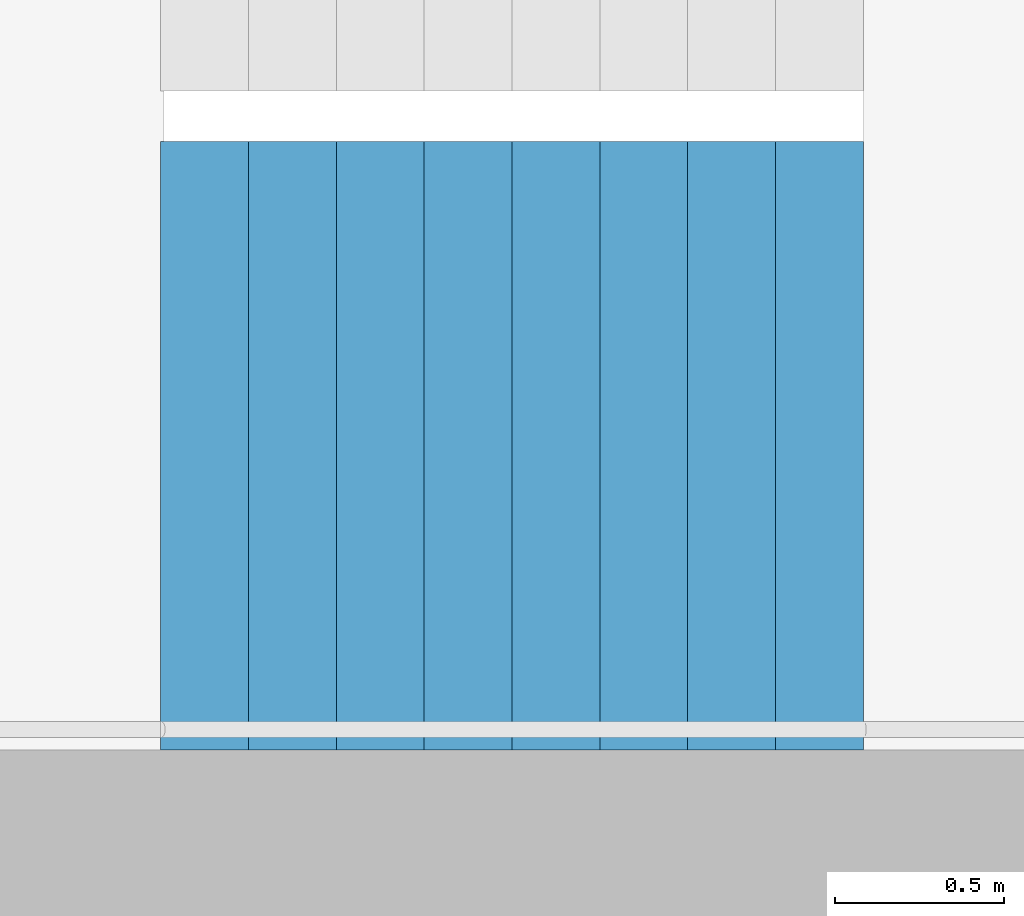
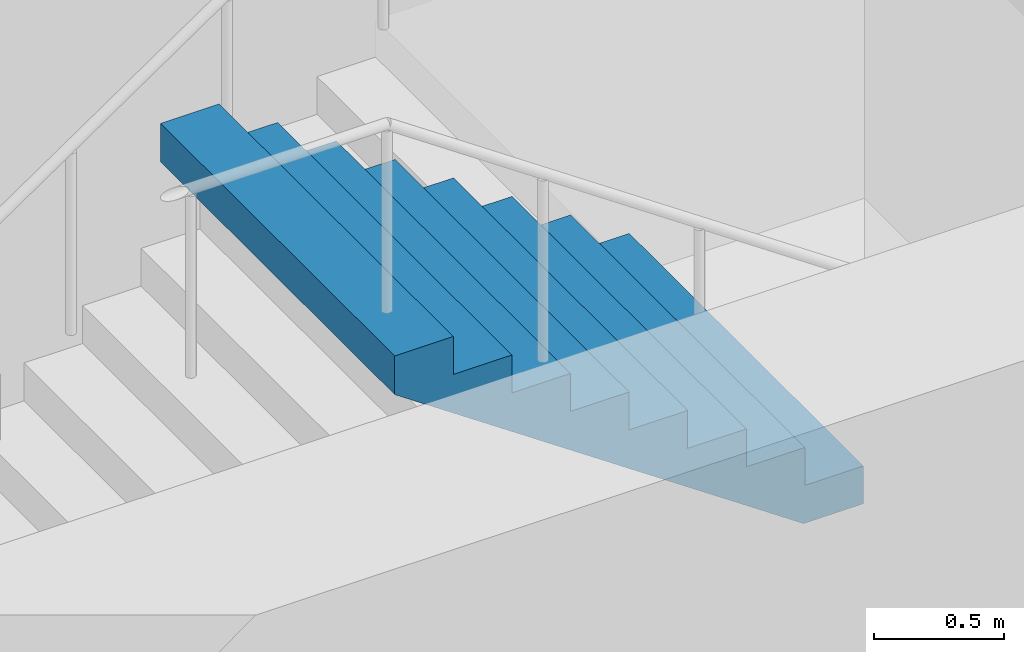
# One storey, part 21 of 30: 1 stair flight, 1 element without a shape of its own.
"""IFC4 building model written with IfcOpenShell, lengths in metres."""

from ifc_helpers import new_model, si_unit, direction, frame, origin, place, context, subcontext, project, spatial, triangles, material, type_object, element, aggregate, save


model = new_model("IFC4")

# Units and contexts
model_context = context("Model", 3, precision=1e-05, world=origin(), true_north=direction((0.0, 1.0)))
body_context = subcontext(model_context, "Body", "Model", "MODEL_VIEW")
ifc_project = project(units=[si_unit("LENGTHUNIT", "METRE"), si_unit("AREAUNIT", "SQUARE_METRE"), si_unit("VOLUMEUNIT", "CUBIC_METRE"), si_unit("PLANEANGLEUNIT", "RADIAN"), si_unit("MASSUNIT", "GRAM", prefix="KILO")], contexts=[model_context])

# Site, building, storey
site_placement = place(None, origin())
site = spatial("IfcSite", under=ifc_project, at=site_placement, CompositionType="ELEMENT")
building_placement = place(site_placement, origin())
building = spatial("IfcBuilding", under=site, at=building_placement, Name="Hakoniwa Tower and Hamabe Station Hall", CompositionType="ELEMENT")
storey_placement = place(building_placement, frame((0.0, 0.0, 137.39990234375)))
storey = spatial("IfcBuildingStorey", under=building, at=storey_placement, Name="L38", CompositionType="ELEMENT", Elevation=137.39990234375)

# Stair, stair flight
ifc_material_1 = material(Name="Concrete C40", Category="concrete")
stair_type = type_object("IfcStairType", Name="ESCAPE STAIR 1800", PredefinedType="HALF_TURN_STAIR", material=ifc_material_1)
stair_placement = place(storey_placement, origin())
stair = element("IfcStair", 1, at=stair_placement, inside=storey, type_object=stair_type, Name="Escape stair ST-4 L38", PredefinedType="HALF_TURN_STAIR")
ifc_material_2 = material(Name="Concrete C40", Category="concrete")
stair_flight_type = type_object("IfcStairFlightType", Name="STAIR FLIGHT 1800", PredefinedType="STRAIGHT", material=ifc_material_2)
stair_flight_placement = place(storey_placement, frame((25.47998046875, -6.60009765625, 1.60009765625), z_axis=(0.0, 0.0, 1.0), x_axis=(-1.0, 0.0, 0.0)))
stair_flight = element("IfcStairFlight", 2, at=stair_flight_placement, type_object=stair_flight_type, Name="ST-4 flight 2", NumberOfRisers=9, NumberOfTreads=8, PredefinedType="STRAIGHT", RiserHeight=0.177777778, TreadLength=0.26, context=body_context, shape_type="Tessellation", body=[
    triangles([(0.0, 0.89990234375, 0.0), (0.260009765625, 0.89990234375, 0.0), (0.265625, 0.89990234375, 0.0), (0.52001953125, 0.89990234375, 0.174072265625), (0.780029296875, 0.89990234375, 0.351806640625), (1.0400390625, 0.89990234375, 0.529541015625), (1.300048828125, 0.89990234375, 0.707275390625), (1.56005859375, 0.89990234375, 0.885009765625), (1.820068359375, 0.89990234375, 1.062744140625), (2.080078125, 0.89990234375, 1.24072265625), (2.080078125, 0.89990234375, 1.422119140625), (1.820068359375, 0.89990234375, 1.422119140625), (1.820068359375, 0.89990234375, 1.244384765625), (1.56005859375, 0.89990234375, 1.244384765625), (1.56005859375, 0.89990234375, 1.066650390625), (1.300048828125, 0.89990234375, 1.066650390625), (1.300048828125, 0.89990234375, 0.888916015625), (1.0400390625, 0.89990234375, 0.888916015625), (1.0400390625, 0.89990234375, 0.711181640625), (0.780029296875, 0.89990234375, 0.711181640625), (0.780029296875, 0.89990234375, 0.533447265625), (0.52001953125, 0.89990234375, 0.533447265625), (0.52001953125, 0.89990234375, 0.35546875), (0.265625, 0.89990234375, 0.35546875), (0.260009765625, 0.89990234375, 0.35546875), (0.260009765625, 0.89990234375, 0.177734375), (0.0, 0.89990234375, 0.177734375), (0.0, 0.06005859375, 0.0), (0.260009765625, 0.06005859375, 0.0), (0.265625, 0.06005859375, 0.0), (0.52001953125, 0.06005859375, 0.174072265625), (0.780029296875, 0.06005859375, 0.351806640625), (1.0400390625, 0.06005859375, 0.529541015625), (1.300048828125, 0.06005859375, 0.707275390625), (1.56005859375, 0.06005859375, 0.885009765625), (1.820068359375, 0.06005859375, 1.062744140625), (2.080078125, 0.06005859375, 1.24072265625), (2.080078125, 0.06005859375, 1.422119140625), (1.820068359375, 0.06005859375, 1.422119140625), (1.820068359375, 0.06005859375, 1.244384765625), (1.56005859375, 0.06005859375, 1.244384765625), (1.56005859375, 0.06005859375, 1.066650390625), (1.300048828125, 0.06005859375, 1.066650390625), (1.300048828125, 0.06005859375, 0.888916015625), (1.0400390625, 0.06005859375, 0.888916015625), (1.0400390625, 0.06005859375, 0.711181640625), (0.780029296875, 0.06005859375, 0.711181640625), (0.780029296875, 0.06005859375, 0.533447265625), (0.52001953125, 0.06005859375, 0.533447265625), (0.52001953125, 0.06005859375, 0.35546875), (0.265625, 0.06005859375, 0.35546875), (0.260009765625, 0.06005859375, 0.35546875), (0.260009765625, 0.06005859375, 0.177734375), (0.0, 0.06005859375, 0.177734375), (0.0, 0.04296875, 0.0), (0.260009765625, 0.04296875, 0.0), (0.265625, 0.04296875, 0.0), (0.52001953125, 0.04296875, 0.174072265625), (0.780029296875, 0.04296875, 0.351806640625), (1.0400390625, 0.04296875, 0.529541015625), (1.300048828125, 0.04296875, 0.707275390625), (1.56005859375, 0.04296875, 0.885009765625), (1.820068359375, 0.04296875, 1.062744140625), (2.080078125, 0.04296875, 1.24072265625), (2.080078125, 0.04296875, 1.422119140625), (1.820068359375, 0.04296875, 1.422119140625), (1.820068359375, 0.04296875, 1.244384765625), (1.56005859375, 0.04296875, 1.244384765625), (1.56005859375, 0.04296875, 1.066650390625), (1.300048828125, 0.04296875, 1.066650390625), (1.300048828125, 0.04296875, 0.888916015625), (1.0400390625, 0.04296875, 0.888916015625), (1.0400390625, 0.04296875, 0.711181640625), (0.780029296875, 0.04296875, 0.711181640625), (0.780029296875, 0.04296875, 0.533447265625), (0.52001953125, 0.04296875, 0.533447265625), (0.52001953125, 0.04296875, 0.35546875), (0.265625, 0.04296875, 0.35546875), (0.260009765625, 0.04296875, 0.35546875), (0.260009765625, 0.04296875, 0.177734375), (0.0, 0.04296875, 0.177734375), (0.0, 0.025634765625, 0.0), (0.260009765625, 0.025634765625, 0.0), (0.265625, 0.025634765625, 0.0), (0.52001953125, 0.025634765625, 0.174072265625), (0.780029296875, 0.025634765625, 0.351806640625), (1.0400390625, 0.025634765625, 0.529541015625), (1.300048828125, 0.025634765625, 0.707275390625), (1.56005859375, 0.025634765625, 0.885009765625), (1.820068359375, 0.025634765625, 1.062744140625), (2.080078125, 0.025634765625, 1.24072265625), (2.080078125, 0.025634765625, 1.422119140625), (1.820068359375, 0.025634765625, 1.422119140625), (1.820068359375, 0.025634765625, 1.244384765625), (1.56005859375, 0.025634765625, 1.244384765625), (1.56005859375, 0.025634765625, 1.066650390625), (1.300048828125, 0.025634765625, 1.066650390625), (1.300048828125, 0.025634765625, 0.888916015625), (1.0400390625, 0.025634765625, 0.888916015625), (1.0400390625, 0.025634765625, 0.711181640625), (0.780029296875, 0.025634765625, 0.711181640625), (0.780029296875, 0.025634765625, 0.533447265625), (0.52001953125, 0.025634765625, 0.533447265625), (0.52001953125, 0.025634765625, 0.35546875), (0.265625, 0.025634765625, 0.35546875), (0.260009765625, 0.025634765625, 0.35546875), (0.260009765625, 0.025634765625, 0.177734375), (0.0, 0.025634765625, 0.177734375), (0.0, 0.008544921875, 0.0), (0.260009765625, 0.008544921875, 0.0), (0.265625, 0.008544921875, 0.0), (0.52001953125, 0.008544921875, 0.174072265625), (0.780029296875, 0.008544921875, 0.351806640625), (1.0400390625, 0.008544921875, 0.529541015625), (1.300048828125, 0.008544921875, 0.707275390625), (1.56005859375, 0.008544921875, 0.885009765625), (1.820068359375, 0.008544921875, 1.062744140625), (2.080078125, 0.008544921875, 1.24072265625), (2.080078125, 0.008544921875, 1.422119140625), (1.820068359375, 0.008544921875, 1.422119140625), (1.820068359375, 0.008544921875, 1.244384765625), (1.56005859375, 0.008544921875, 1.244384765625), (1.56005859375, 0.008544921875, 1.066650390625), (1.300048828125, 0.008544921875, 1.066650390625), (1.300048828125, 0.008544921875, 0.888916015625), (1.0400390625, 0.008544921875, 0.888916015625), (1.0400390625, 0.008544921875, 0.711181640625), (0.780029296875, 0.008544921875, 0.711181640625), (0.780029296875, 0.008544921875, 0.533447265625), (0.52001953125, 0.008544921875, 0.533447265625), (0.52001953125, 0.008544921875, 0.35546875), (0.265625, 0.008544921875, 0.35546875), (0.260009765625, 0.008544921875, 0.35546875), (0.260009765625, 0.008544921875, 0.177734375), (0.0, 0.008544921875, 0.177734375), (0.0, -0.008544921875, 0.0), (0.260009765625, -0.008544921875, 0.0), (0.265625, -0.008544921875, 0.0), (0.52001953125, -0.008544921875, 0.174072265625), (0.780029296875, -0.008544921875, 0.351806640625), (1.0400390625, -0.008544921875, 0.529541015625), (1.300048828125, -0.008544921875, 0.707275390625), (1.56005859375, -0.008544921875, 0.885009765625), (1.820068359375, -0.008544921875, 1.062744140625), (2.080078125, -0.008544921875, 1.24072265625), (2.080078125, -0.008544921875, 1.422119140625), (1.820068359375, -0.008544921875, 1.422119140625), (1.820068359375, -0.008544921875, 1.244384765625), (1.56005859375, -0.008544921875, 1.244384765625), (1.56005859375, -0.008544921875, 1.066650390625), (1.300048828125, -0.008544921875, 1.066650390625), (1.300048828125, -0.008544921875, 0.888916015625), (1.0400390625, -0.008544921875, 0.888916015625), (1.0400390625, -0.008544921875, 0.711181640625), (0.780029296875, -0.008544921875, 0.711181640625), (0.780029296875, -0.008544921875, 0.533447265625), (0.52001953125, -0.008544921875, 0.533447265625), (0.52001953125, -0.008544921875, 0.35546875), (0.265625, -0.008544921875, 0.35546875), (0.260009765625, -0.008544921875, 0.35546875), (0.260009765625, -0.008544921875, 0.177734375), (0.0, -0.008544921875, 0.177734375), (0.0, -0.025634765625, 0.0), (0.260009765625, -0.025634765625, 0.0), (0.265625, -0.025634765625, 0.0), (0.52001953125, -0.025634765625, 0.174072265625), (0.780029296875, -0.025634765625, 0.351806640625), (1.0400390625, -0.025634765625, 0.529541015625), (1.300048828125, -0.025634765625, 0.707275390625), (1.56005859375, -0.025634765625, 0.885009765625), (1.820068359375, -0.025634765625, 1.062744140625), (2.080078125, -0.025634765625, 1.24072265625), (2.080078125, -0.025634765625, 1.422119140625), (1.820068359375, -0.025634765625, 1.422119140625), (1.820068359375, -0.025634765625, 1.244384765625), (1.56005859375, -0.025634765625, 1.244384765625), (1.56005859375, -0.025634765625, 1.066650390625), (1.300048828125, -0.025634765625, 1.066650390625), (1.300048828125, -0.025634765625, 0.888916015625), (1.0400390625, -0.025634765625, 0.888916015625), (1.0400390625, -0.025634765625, 0.711181640625), (0.780029296875, -0.025634765625, 0.711181640625), (0.780029296875, -0.025634765625, 0.533447265625), (0.52001953125, -0.025634765625, 0.533447265625), (0.52001953125, -0.025634765625, 0.35546875), (0.265625, -0.025634765625, 0.35546875), (0.260009765625, -0.025634765625, 0.35546875), (0.260009765625, -0.025634765625, 0.177734375), (0.0, -0.025634765625, 0.177734375), (0.0, -0.04296875, 0.0), (0.260009765625, -0.04296875, 0.0), (0.265625, -0.04296875, 0.0), (0.52001953125, -0.04296875, 0.174072265625), (0.780029296875, -0.04296875, 0.351806640625), (1.0400390625, -0.04296875, 0.529541015625), (1.300048828125, -0.04296875, 0.707275390625), (1.56005859375, -0.04296875, 0.885009765625), (1.820068359375, -0.04296875, 1.062744140625), (2.080078125, -0.04296875, 1.24072265625), (2.080078125, -0.04296875, 1.422119140625), (1.820068359375, -0.04296875, 1.422119140625), (1.820068359375, -0.04296875, 1.244384765625), (1.56005859375, -0.04296875, 1.244384765625), (1.56005859375, -0.04296875, 1.066650390625), (1.300048828125, -0.04296875, 1.066650390625), (1.300048828125, -0.04296875, 0.888916015625), (1.0400390625, -0.04296875, 0.888916015625), (1.0400390625, -0.04296875, 0.711181640625), (0.780029296875, -0.04296875, 0.711181640625), (0.780029296875, -0.04296875, 0.533447265625), (0.52001953125, -0.04296875, 0.533447265625), (0.52001953125, -0.04296875, 0.35546875), (0.265625, -0.04296875, 0.35546875), (0.260009765625, -0.04296875, 0.35546875), (0.260009765625, -0.04296875, 0.177734375), (0.0, -0.04296875, 0.177734375), (0.0, -0.06005859375, 0.0), (0.260009765625, -0.06005859375, 0.0), (0.265625, -0.06005859375, 0.0), (0.52001953125, -0.06005859375, 0.174072265625), (0.780029296875, -0.06005859375, 0.351806640625), (1.0400390625, -0.06005859375, 0.529541015625), (1.300048828125, -0.06005859375, 0.707275390625), (1.56005859375, -0.06005859375, 0.885009765625), (1.820068359375, -0.06005859375, 1.062744140625), (2.080078125, -0.06005859375, 1.24072265625), (2.080078125, -0.06005859375, 1.422119140625), (1.820068359375, -0.06005859375, 1.422119140625), (1.820068359375, -0.06005859375, 1.244384765625), (1.56005859375, -0.06005859375, 1.244384765625), (1.56005859375, -0.06005859375, 1.066650390625), (1.300048828125, -0.06005859375, 1.066650390625), (1.300048828125, -0.06005859375, 0.888916015625), (1.0400390625, -0.06005859375, 0.888916015625), (1.0400390625, -0.06005859375, 0.711181640625), (0.780029296875, -0.06005859375, 0.711181640625), (0.780029296875, -0.06005859375, 0.533447265625), (0.52001953125, -0.06005859375, 0.533447265625), (0.52001953125, -0.06005859375, 0.35546875), (0.265625, -0.06005859375, 0.35546875), (0.260009765625, -0.06005859375, 0.35546875), (0.260009765625, -0.06005859375, 0.177734375), (0.0, -0.06005859375, 0.177734375), (0.0, -0.89990234375, 0.0), (0.260009765625, -0.89990234375, 0.0), (0.265625, -0.89990234375, 0.0), (0.52001953125, -0.89990234375, 0.174072265625), (0.780029296875, -0.89990234375, 0.351806640625), (1.0400390625, -0.89990234375, 0.529541015625), (1.300048828125, -0.89990234375, 0.707275390625), (1.56005859375, -0.89990234375, 0.885009765625), (1.820068359375, -0.89990234375, 1.062744140625), (2.080078125, -0.89990234375, 1.24072265625), (2.080078125, -0.89990234375, 1.422119140625), (1.820068359375, -0.89990234375, 1.422119140625), (1.820068359375, -0.89990234375, 1.244384765625), (1.56005859375, -0.89990234375, 1.244384765625), (1.56005859375, -0.89990234375, 1.066650390625), (1.300048828125, -0.89990234375, 1.066650390625), (1.300048828125, -0.89990234375, 0.888916015625), (1.0400390625, -0.89990234375, 0.888916015625), (1.0400390625, -0.89990234375, 0.711181640625), (0.780029296875, -0.89990234375, 0.711181640625), (0.780029296875, -0.89990234375, 0.533447265625), (0.52001953125, -0.89990234375, 0.533447265625), (0.52001953125, -0.89990234375, 0.35546875), (0.265625, -0.89990234375, 0.35546875), (0.260009765625, -0.89990234375, 0.35546875), (0.260009765625, -0.89990234375, 0.177734375), (0.0, -0.89990234375, 0.177734375)], [[2, 27, 26], [245, 269, 270], [2, 1, 27], [245, 270, 244], [3, 25, 24], [246, 267, 268], [3, 26, 25], [246, 268, 269], [3, 2, 26], [246, 269, 245], [4, 24, 23], [247, 266, 267], [4, 3, 24], [247, 267, 246], [5, 22, 21], [248, 264, 265], [5, 23, 22], [248, 265, 266], [5, 4, 23], [248, 266, 247], [6, 20, 19], [249, 262, 263], [6, 21, 20], [249, 263, 264], [6, 5, 21], [249, 264, 248], [7, 18, 17], [250, 260, 261], [7, 19, 18], [250, 261, 262], [7, 6, 19], [250, 262, 249], [8, 16, 15], [251, 258, 259], [8, 17, 16], [251, 259, 260], [8, 7, 17], [251, 260, 250], [9, 14, 13], [252, 256, 257], [9, 15, 14], [252, 257, 258], [9, 8, 15], [252, 258, 251], [10, 12, 11], [253, 254, 255], [10, 13, 12], [253, 255, 256], [10, 9, 13], [253, 256, 252], [1, 2, 29], [1, 29, 28], [28, 29, 56], [28, 56, 55], [55, 56, 83], [55, 83, 82], [82, 83, 110], [82, 110, 109], [109, 110, 137], [109, 137, 136], [136, 137, 164], [136, 164, 163], [163, 164, 191], [163, 191, 190], [190, 191, 218], [190, 218, 217], [217, 218, 245], [217, 245, 244], [2, 3, 30], [2, 30, 29], [29, 30, 57], [29, 57, 56], [56, 57, 84], [56, 84, 83], [83, 84, 111], [83, 111, 110], [110, 111, 138], [110, 138, 137], [137, 138, 165], [137, 165, 164], [164, 165, 192], [164, 192, 191], [191, 192, 219], [191, 219, 218], [218, 219, 246], [218, 246, 245], [3, 4, 31], [3, 31, 30], [30, 31, 58], [30, 58, 57], [57, 58, 85], [57, 85, 84], [84, 85, 112], [84, 112, 111], [111, 112, 139], [111, 139, 138], [138, 139, 166], [138, 166, 165], [165, 166, 193], [165, 193, 192], [192, 193, 220], [192, 220, 219], [219, 220, 247], [219, 247, 246], [4, 5, 32], [4, 32, 31], [31, 32, 59], [31, 59, 58], [58, 59, 86], [58, 86, 85], [85, 86, 113], [85, 113, 112], [112, 113, 140], [112, 140, 139], [139, 140, 167], [139, 167, 166], [166, 167, 194], [166, 194, 193], [193, 194, 221], [193, 221, 220], [220, 221, 248], [220, 248, 247], [5, 6, 33], [5, 33, 32], [32, 33, 60], [32, 60, 59], [59, 60, 87], [59, 87, 86], [86, 87, 114], [86, 114, 113], [113, 114, 141], [113, 141, 140], [140, 141, 168], [140, 168, 167], [167, 168, 195], [167, 195, 194], [194, 195, 222], [194, 222, 221], [221, 222, 249], [221, 249, 248], [6, 7, 34], [6, 34, 33], [33, 34, 61], [33, 61, 60], [60, 61, 88], [60, 88, 87], [87, 88, 115], [87, 115, 114], [114, 115, 142], [114, 142, 141], [141, 142, 169], [141, 169, 168], [168, 169, 196], [168, 196, 195], [195, 196, 223], [195, 223, 222], [222, 223, 250], [222, 250, 249], [7, 8, 35], [7, 35, 34], [34, 35, 62], [34, 62, 61], [61, 62, 89], [61, 89, 88], [88, 89, 116], [88, 116, 115], [115, 116, 143], [115, 143, 142], [142, 143, 170], [142, 170, 169], [169, 170, 197], [169, 197, 196], [196, 197, 224], [196, 224, 223], [223, 224, 251], [223, 251, 250], [8, 9, 36], [8, 36, 35], [35, 36, 63], [35, 63, 62], [62, 63, 90], [62, 90, 89], [89, 90, 117], [89, 117, 116], [116, 117, 144], [116, 144, 143], [143, 144, 171], [143, 171, 170], [170, 171, 198], [170, 198, 197], [197, 198, 225], [197, 225, 224], [224, 225, 252], [224, 252, 251], [9, 10, 37], [9, 37, 36], [36, 37, 64], [36, 64, 63], [63, 64, 91], [63, 91, 90], [90, 91, 118], [90, 118, 117], [117, 118, 145], [117, 145, 144], [144, 145, 172], [144, 172, 171], [171, 172, 199], [171, 199, 198], [198, 199, 226], [198, 226, 225], [225, 226, 253], [225, 253, 252], [10, 11, 38], [10, 38, 37], [37, 38, 65], [37, 65, 64], [64, 65, 92], [64, 92, 91], [91, 92, 119], [91, 119, 118], [118, 119, 146], [118, 146, 145], [145, 146, 173], [145, 173, 172], [172, 173, 200], [172, 200, 199], [199, 200, 227], [199, 227, 226], [226, 227, 254], [226, 254, 253], [11, 12, 39], [11, 39, 38], [38, 39, 66], [38, 66, 65], [65, 66, 93], [65, 93, 92], [92, 93, 120], [92, 120, 119], [119, 120, 147], [119, 147, 146], [146, 147, 174], [146, 174, 173], [173, 174, 201], [173, 201, 200], [200, 201, 228], [200, 228, 227], [227, 228, 255], [227, 255, 254], [12, 13, 40], [12, 40, 39], [39, 40, 67], [39, 67, 66], [66, 67, 94], [66, 94, 93], [93, 94, 121], [93, 121, 120], [120, 121, 148], [120, 148, 147], [147, 148, 175], [147, 175, 174], [174, 175, 202], [174, 202, 201], [201, 202, 229], [201, 229, 228], [228, 229, 256], [228, 256, 255], [13, 14, 41], [13, 41, 40], [40, 41, 68], [40, 68, 67], [67, 68, 95], [67, 95, 94], [94, 95, 122], [94, 122, 121], [121, 122, 149], [121, 149, 148], [148, 149, 176], [148, 176, 175], [175, 176, 203], [175, 203, 202], [202, 203, 230], [202, 230, 229], [229, 230, 257], [229, 257, 256], [14, 15, 42], [14, 42, 41], [41, 42, 69], [41, 69, 68], [68, 69, 96], [68, 96, 95], [95, 96, 123], [95, 123, 122], [122, 123, 150], [122, 150, 149], [149, 150, 177], [149, 177, 176], [176, 177, 204], [176, 204, 203], [203, 204, 231], [203, 231, 230], [230, 231, 258], [230, 258, 257], [15, 16, 43], [15, 43, 42], [42, 43, 70], [42, 70, 69], [69, 70, 97], [69, 97, 96], [96, 97, 124], [96, 124, 123], [123, 124, 151], [123, 151, 150], [150, 151, 178], [150, 178, 177], [177, 178, 205], [177, 205, 204], [204, 205, 232], [204, 232, 231], [231, 232, 259], [231, 259, 258], [16, 17, 44], [16, 44, 43], [43, 44, 71], [43, 71, 70], [70, 71, 98], [70, 98, 97], [97, 98, 125], [97, 125, 124], [124, 125, 152], [124, 152, 151], [151, 152, 179], [151, 179, 178], [178, 179, 206], [178, 206, 205], [205, 206, 233], [205, 233, 232], [232, 233, 260], [232, 260, 259], [17, 18, 45], [17, 45, 44], [44, 45, 72], [44, 72, 71], [71, 72, 99], [71, 99, 98], [98, 99, 126], [98, 126, 125], [125, 126, 153], [125, 153, 152], [152, 153, 180], [152, 180, 179], [179, 180, 207], [179, 207, 206], [206, 207, 234], [206, 234, 233], [233, 234, 261], [233, 261, 260], [18, 19, 46], [18, 46, 45], [45, 46, 73], [45, 73, 72], [72, 73, 100], [72, 100, 99], [99, 100, 127], [99, 127, 126], [126, 127, 154], [126, 154, 153], [153, 154, 181], [153, 181, 180], [180, 181, 208], [180, 208, 207], [207, 208, 235], [207, 235, 234], [234, 235, 262], [234, 262, 261], [19, 20, 47], [19, 47, 46], [46, 47, 74], [46, 74, 73], [73, 74, 101], [73, 101, 100], [100, 101, 128], [100, 128, 127], [127, 128, 155], [127, 155, 154], [154, 155, 182], [154, 182, 181], [181, 182, 209], [181, 209, 208], [208, 209, 236], [208, 236, 235], [235, 236, 263], [235, 263, 262], [20, 21, 48], [20, 48, 47], [47, 48, 75], [47, 75, 74], [74, 75, 102], [74, 102, 101], [101, 102, 129], [101, 129, 128], [128, 129, 156], [128, 156, 155], [155, 156, 183], [155, 183, 182], [182, 183, 210], [182, 210, 209], [209, 210, 237], [209, 237, 236], [236, 237, 264], [236, 264, 263], [21, 22, 49], [21, 49, 48], [48, 49, 76], [48, 76, 75], [75, 76, 103], [75, 103, 102], [102, 103, 130], [102, 130, 129], [129, 130, 157], [129, 157, 156], [156, 157, 184], [156, 184, 183], [183, 184, 211], [183, 211, 210], [210, 211, 238], [210, 238, 237], [237, 238, 265], [237, 265, 264], [22, 23, 50], [22, 50, 49], [49, 50, 77], [49, 77, 76], [76, 77, 104], [76, 104, 103], [103, 104, 131], [103, 131, 130], [130, 131, 158], [130, 158, 157], [157, 158, 185], [157, 185, 184], [184, 185, 212], [184, 212, 211], [211, 212, 239], [211, 239, 238], [238, 239, 266], [238, 266, 265], [23, 24, 51], [23, 51, 50], [50, 51, 78], [50, 78, 77], [77, 78, 105], [77, 105, 104], [104, 105, 132], [104, 132, 131], [131, 132, 159], [131, 159, 158], [158, 159, 186], [158, 186, 185], [185, 186, 213], [185, 213, 212], [212, 213, 240], [212, 240, 239], [239, 240, 267], [239, 267, 266], [24, 25, 52], [24, 52, 51], [51, 52, 79], [51, 79, 78], [78, 79, 106], [78, 106, 105], [105, 106, 133], [105, 133, 132], [132, 133, 160], [132, 160, 159], [159, 160, 187], [159, 187, 186], [186, 187, 214], [186, 214, 213], [213, 214, 241], [213, 241, 240], [240, 241, 268], [240, 268, 267], [25, 26, 53], [25, 53, 52], [52, 53, 80], [52, 80, 79], [79, 80, 107], [79, 107, 106], [106, 107, 134], [106, 134, 133], [133, 134, 161], [133, 161, 160], [160, 161, 188], [160, 188, 187], [187, 188, 215], [187, 215, 214], [214, 215, 242], [214, 242, 241], [241, 242, 269], [241, 269, 268], [26, 27, 54], [26, 54, 53], [53, 54, 81], [53, 81, 80], [80, 81, 108], [80, 108, 107], [107, 108, 135], [107, 135, 134], [134, 135, 162], [134, 162, 161], [161, 162, 189], [161, 189, 188], [188, 189, 216], [188, 216, 215], [215, 216, 243], [215, 243, 242], [242, 243, 270], [242, 270, 269], [27, 1, 28], [27, 28, 54], [54, 28, 55], [54, 55, 81], [81, 55, 82], [81, 82, 108], [108, 82, 109], [108, 109, 135], [135, 109, 136], [135, 136, 162], [162, 136, 163], [162, 163, 189], [189, 163, 190], [189, 190, 216], [216, 190, 217], [216, 217, 243], [243, 217, 244], [243, 244, 270]], closed=True),
])
aggregate(stair, [stair_flight])

save(model, "model.ifc")
